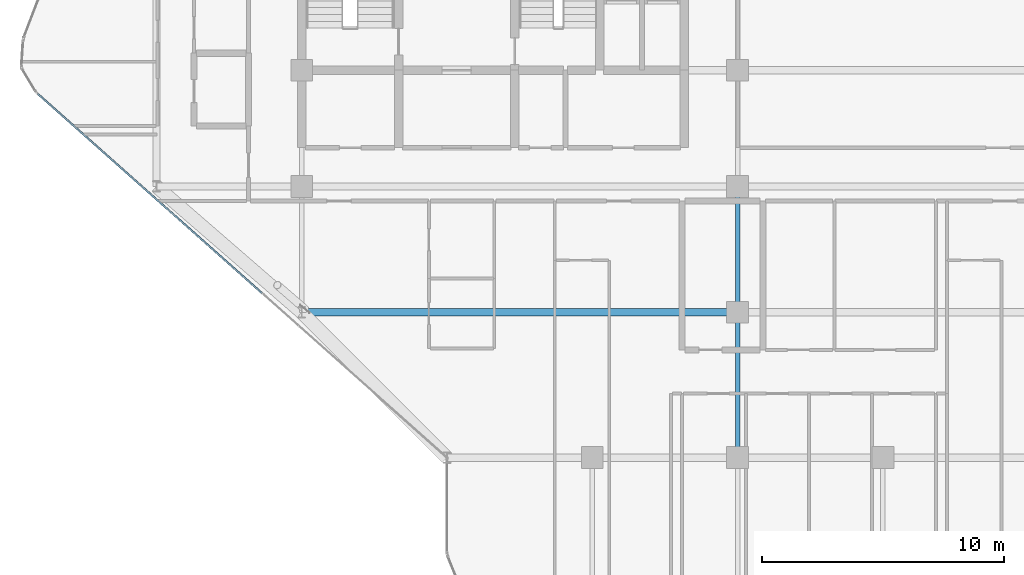
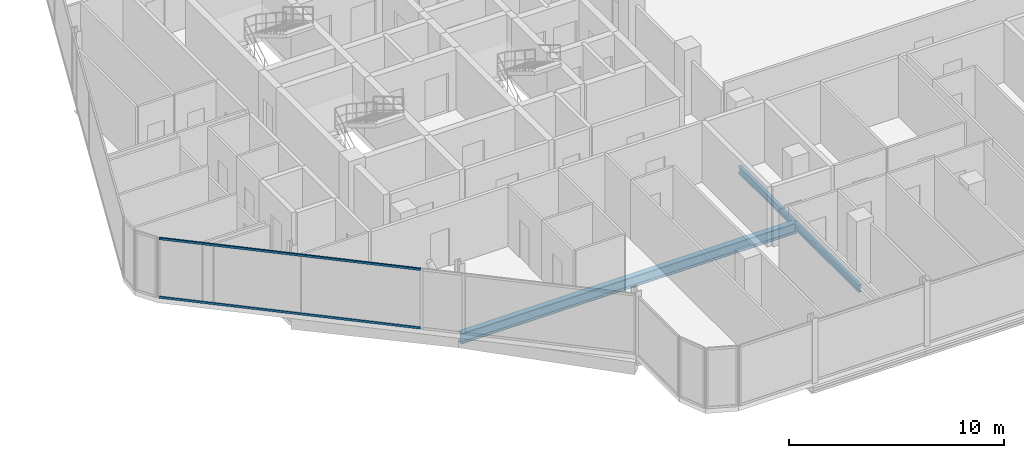
# One storey, part 7 of 29: 3 beams, 2 members, 1 element without a shape of its own.
"""IFC4 building model written with IfcOpenShell, lengths in metres."""

from ifc_helpers import new_model, si_unit, direction, frame, origin, origin_2d, place, context, subcontext, project, spatial, hollow_rectangle, i_section, extrude, material, layer, layer_set, material_profile, profile_set, type_object, element, aggregate, save


model = new_model("IFC4")

# Units and contexts
model_context = context("Model", 3, precision=1e-05, world=origin(), true_north=direction((0.0, 1.0)))
body_context = subcontext(model_context, "Body", "Model", "MODEL_VIEW")
ifc_project = project(units=[si_unit("LENGTHUNIT", "METRE"), si_unit("AREAUNIT", "SQUARE_METRE"), si_unit("VOLUMEUNIT", "CUBIC_METRE"), si_unit("PLANEANGLEUNIT", "RADIAN"), si_unit("MASSUNIT", "GRAM", prefix="KILO")], contexts=[model_context])

# Site, building, storey
site_placement = place(None, origin())
site = spatial("IfcSite", under=ifc_project, at=site_placement, CompositionType="ELEMENT")
building_placement = place(site_placement, origin())
building = spatial("IfcBuilding", under=site, at=building_placement, Name="Keshet Zoharim Tower", CompositionType="ELEMENT")
storey_placement = place(building_placement, frame((0.0, 0.0, 169.10009765625)))
storey = spatial("IfcBuildingStorey", under=building, at=storey_placement, Name="L41", CompositionType="ELEMENT", Elevation=169.10009765625)

# Beams
ifc_material_1 = material(Name="Steel S355", Category="steel")
ifc_material_profile_1 = material_profile(ifc_material_1, i_section(OverallWidth=0.300048828125, OverallDepth=0.60009765625, WebThickness=0.015380859375, FlangeThickness=0.030029296875, FilletRadius=0.027099609375, at=origin_2d()), Name="HEB600")
ifc_profile_set_1 = profile_set([ifc_material_profile_1], Name="Steel S355")
beam_type_1 = type_object("IfcBeamType", Name="BM-LNG-HB600", PredefinedType="BEAM", material=ifc_profile_set_1)
beam_1_placement = place(storey_placement, frame((15.0, 12.699951171875, -0.610107421875), z_axis=(1.0, 0.0, 0.0), x_axis=(0.0, 1.0, 0.0)))
element("IfcBeam", 1, at=beam_1_placement, inside=storey, type_object=beam_type_1, Name="L41 Primary Girder X-009", PredefinedType="BEAM", context=body_context, shape_type="SweptSolid", body=[
    extrude(i_section(OverallWidth=0.300048828125, OverallDepth=0.60009765625, WebThickness=0.015380859375, FlangeThickness=0.030029296875, FilletRadius=0.027099609375, at=origin_2d()), origin(), (0.0, 0.0, 1.0), 18.0),
])
ifc_material_profile_2 = material_profile(ifc_material_1, i_section(OverallWidth=0.179931640625, OverallDepth=0.39990234375, WebThickness=0.008544921875, FlangeThickness=0.013427734375, FilletRadius=0.02099609375, at=origin_2d()), Name="IPE400")
ifc_profile_set_2 = profile_set([ifc_material_profile_2], Name="Steel S355")
beam_type_2 = type_object("IfcBeamType", Name="BM-PRI-IP400", PredefinedType="BEAM", material=ifc_profile_set_2)
beam_2_placement = place(storey_placement, frame((33.0, 6.699951171875, -0.510009765625), z_axis=(0.0, 1.0, 0.0), x_axis=(-1.0, 0.0, 0.0)))
element("IfcBeam", 2, at=beam_2_placement, inside=storey, type_object=beam_type_2, Name="L41 Primary Girder Y-006", PredefinedType="BEAM", context=body_context, shape_type="SweptSolid", body=[
    extrude(i_section(OverallWidth=0.179931640625, OverallDepth=0.39990234375, WebThickness=0.008544921875, FlangeThickness=0.013427734375, FilletRadius=0.02099609375, at=origin_2d()), origin(), (0.0, 0.0, 1.0), 6.0),
])
beam_3_placement = place(storey_placement, frame((33.0, 12.699951171875, -0.510009765625), z_axis=(0.0, 1.0, 0.0), x_axis=(-1.0, 0.0, 0.0)))
element("IfcBeam", 3, at=beam_3_placement, inside=storey, type_object=beam_type_2, Name="L41 Primary Girder Y-007", PredefinedType="BEAM", context=body_context, shape_type="SweptSolid", body=[
    extrude(i_section(OverallWidth=0.179931640625, OverallDepth=0.39990234375, WebThickness=0.008544921875, FlangeThickness=0.013427734375, FilletRadius=0.02099609375, at=origin_2d()), origin(), (0.0, 0.0, 1.0), 5.199951171875),
])

# Curtain wall, members
ifc_material_2 = material(Name="Aluminium 6063-T6", Category="aluminium")
ifc_layer = layer(ifc_material_2, 0.139892578125)
ifc_layer_set = layer_set([ifc_layer], Name="Aluminium 6063-T6")
curtain_wall_type = type_object("IfcCurtainWallType", Name="CW-SYS-05", PredefinedType="NOTDEFINED", material=ifc_layer_set)
curtain_wall_placement = place(storey_placement, origin())
curtain_wall = element("IfcCurtainWall", 4, at=curtain_wall_placement, inside=storey, type_object=curtain_wall_type, Name="L41 Unitised Curtain Wall 10 Part 3", PredefinedType="NOTDEFINED")
ifc_material_profile_3 = material_profile(ifc_material_2, hollow_rectangle(XDim=0.074951171875, YDim=0.1201171875, WallThickness=0.00390625, at=origin_2d()), Name="TRN-75x120")
ifc_profile_set_3 = profile_set([ifc_material_profile_3], Name="Aluminium 6063-T6")
member_type = type_object("IfcMemberType", Name="CWT-T12", PredefinedType="USERDEFINED", material=ifc_profile_set_3)
member_1_placement = place(storey_placement, frame((13.3623046875, 13.489013671875, 0.034912109375), z_axis=(-0.747408233231, 0.664365059962, 0.0), x_axis=(-0.664365059962, -0.747408233231, 0.0)))
member_1 = element("IfcMember", 5, at=member_1_placement, type_object=member_type, Name="CW-05 transom 1.1", ObjectType="TRANSOM", PredefinedType="USERDEFINED", context=body_context, shape_type="SweptSolid", body=[
    extrude(hollow_rectangle(XDim=0.074951171875, YDim=0.1201171875, WallThickness=0.00390625, at=origin_2d()), origin(), (0.0, 0.0, 1.0), 12.409423828125),
])
member_2_placement = place(storey_placement, frame((13.3623046875, 13.489013671875, 3.35498046875), z_axis=(-0.747408233231, 0.664365059962, 0.0), x_axis=(-0.664365059962, -0.747408233231, 0.0)))
member_2 = element("IfcMember", 6, at=member_2_placement, type_object=member_type, Name="CW-05 transom 1.2", ObjectType="TRANSOM", PredefinedType="USERDEFINED", context=body_context, shape_type="SweptSolid", body=[
    extrude(hollow_rectangle(XDim=0.074951171875, YDim=0.1201171875, WallThickness=0.00390625, at=origin_2d()), origin(), (0.0, 0.0, 1.0), 12.409423828125),
])
aggregate(curtain_wall, [member_1, member_2])

save(model, "model.ifc")
